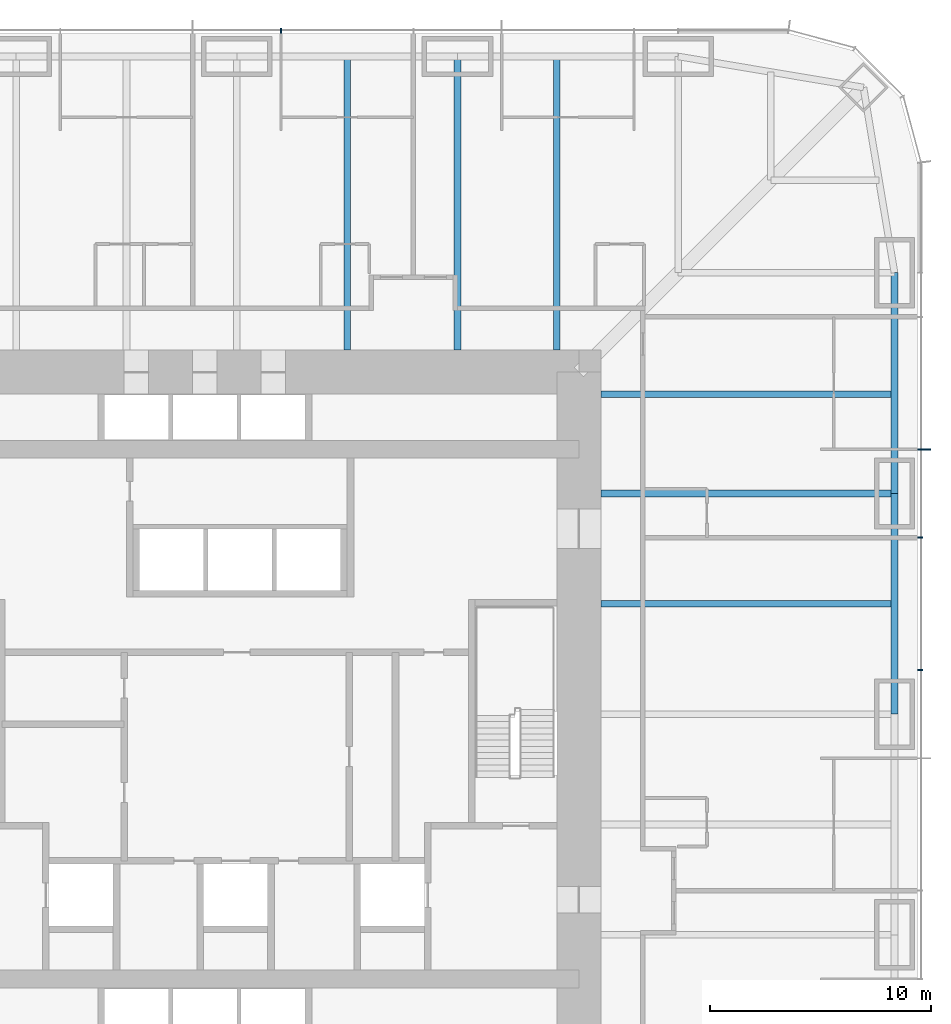
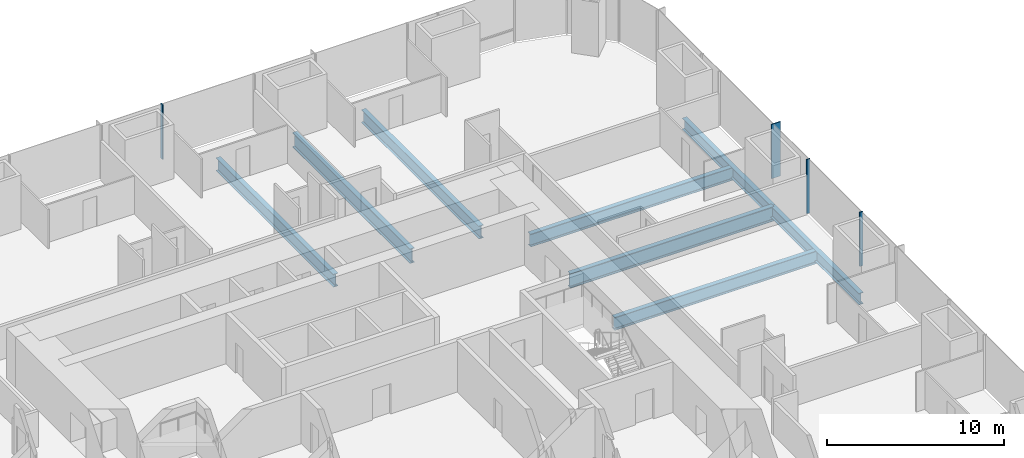
# One storey, part 8 of 17: 8 beams, 4 members, 2 elements without a shape of their own.
"""IFC4 building model written with IfcOpenShell, lengths in metres."""

import ifcopenshell
import ifcopenshell.guid

model = None  # the IFC model being written
_history = None  # IfcOwnerHistory: only IFC2X3 demands one
_inside = {}  # id of a spatial element -> (the spatial element, [elements in it])
_under = {}  # id of a project, library or spatial element -> (it, [spatial elements below it])
_declared = {}  # id of a project -> (the project, [libraries it declares])
_typed = {}  # id of a type object -> (the type object, [elements of that type])
_made_of = {}  # id of a material, layer set ... -> (it, [elements and type objects made of it])


def new_model(schema):
    """Start an empty IFC model of exactly this schema.

    Asked for "IFC4X3", IfcOpenShell would pick the latest addendum, in which some entities
    have other attributes; the version numbers below select the first issue.
    IFC2X3 requires an IfcOwnerHistory on every rooted entity: one is made here for all.
    """
    global model, _history
    if schema == "IFC4X3":
        model = ifcopenshell.file(schema_version=(4, 3, 0, 0))
    else:
        model = ifcopenshell.file(schema=schema)
    _inside.clear()
    _under.clear()
    _declared.clear()
    _typed.clear()
    _made_of.clear()
    _history = None
    if model.schema == "IFC2X3":
        org = make("IfcOrganization", Name="unknown")
        user = make(
            "IfcPersonAndOrganization",
            ThePerson=make("IfcPerson", FamilyName="unknown"),
            TheOrganization=org,
        )
        app = make(
            "IfcApplication",
            ApplicationDeveloper=org,
            Version="unknown",
            ApplicationFullName="unknown",
            ApplicationIdentifier="unknown",
        )
        _history = make(
            "IfcOwnerHistory",
            OwningUser=user,
            OwningApplication=app,
            ChangeAction="ADDED",
            CreationDate=0,
        )
    return model


def make(cls, **values):
    """One entity of the class cls with the attributes given. An attribute that is None is left unset."""
    return model.create_entity(
        cls, **{name: value for name, value in values.items() if value is not None}
    )


def rooted(cls, **values):
    """An entity with a GlobalId (a new one), such as an element, a storey or a relation."""
    return make(cls, GlobalId=ifcopenshell.guid.new(), OwnerHistory=_history, **values)


def si_unit(unit_type, name, prefix=None):
    """IfcSIUnit, for example si_unit("LENGTHUNIT", "METRE", prefix="MILLI")."""
    return make("IfcSIUnit", UnitType=unit_type, Prefix=prefix, Name=name)


def assignment(units):
    """IfcUnitAssignment: the units of a project."""
    return None if units is None else make("IfcUnitAssignment", Units=units)


def point(xyz):
    """IfcCartesianPoint."""
    return None if xyz is None else make("IfcCartesianPoint", Coordinates=xyz)


def direction(xyz):
    """IfcDirection."""
    return None if xyz is None else make("IfcDirection", DirectionRatios=xyz)


def frame(location, z_axis=None, x_axis=None):
    """IfcAxis2Placement3D, a coordinate frame: its origin and axes. An axis left out is left unset."""
    return make(
        "IfcAxis2Placement3D",
        Location=point(location),
        Axis=direction(z_axis),
        RefDirection=direction(x_axis),
    )


def frame_2d(location, x_axis=None):
    """IfcAxis2Placement2D, a coordinate frame in the plane: its origin and x axis."""
    return make(
        "IfcAxis2Placement2D", Location=point(location), RefDirection=direction(x_axis)
    )


def origin():
    """The frame at (0, 0, 0) with its axes left unset."""
    return frame((0.0, 0.0, 0.0))


def origin_2d():
    """The frame at (0, 0) in the plane with its x axis left unset."""
    return frame_2d((0.0, 0.0))


def place(relative_to, where):
    """IfcLocalPlacement: puts the frame where relative to a parent placement (None: the world)."""
    return make(
        "IfcLocalPlacement", PlacementRelTo=relative_to, RelativePlacement=where
    )


def context(
    kind, dimensions, precision=None, world=None, true_north=None, identifier=None
):
    """IfcGeometricRepresentationContext, for example the 3D "Model" context."""
    return make(
        "IfcGeometricRepresentationContext",
        ContextIdentifier=identifier,
        ContextType=kind,
        CoordinateSpaceDimension=dimensions,
        Precision=precision,
        WorldCoordinateSystem=world,
        TrueNorth=true_north,
    )


def subcontext(parent, identifier, kind, view, scale=None):
    """IfcGeometricRepresentationSubContext, for example "Body" below "Model"."""
    return make(
        "IfcGeometricRepresentationSubContext",
        ContextIdentifier=identifier,
        ContextType=kind,
        ParentContext=parent,
        TargetScale=scale,
        TargetView=view,
    )


def project(units=None, contexts=None):
    """IfcProject with its units and contexts."""
    return rooted(
        "IfcProject",
        Name="project",
        RepresentationContexts=contexts,
        UnitsInContext=assignment(units),
    )


def spatial(cls, under=None, at=None, **own):
    """A site, building, storey or space (cls), placed at a placement, below another one or the project."""
    s = rooted(cls, ObjectPlacement=at, **own)
    if under is not None:
        _under.setdefault(under.id(), (under, []))[1].append(s)
    return s


def profile(cls, at=None, kind="AREA", **sizes):
    """A parametric profile (cls). Its sizes go by their IFC names, for example OverallWidth=200.0."""
    return make(cls, ProfileType=kind, Position=at, **sizes)


def rectangle(**sizes):
    """IfcRectangleProfileDef."""
    return profile("IfcRectangleProfileDef", **sizes)


def i_section(**sizes):
    """IfcIShapeProfileDef."""
    return profile("IfcIShapeProfileDef", **sizes)


def extrude(swept, where, along, depth):
    """IfcExtrudedAreaSolid: the profile swept, set in the frame where, extruded along a direction by depth."""
    return make(
        "IfcExtrudedAreaSolid",
        SweptArea=swept,
        Position=where,
        ExtrudedDirection=direction(along),
        Depth=depth,
    )


def shape(context_of_items, identifier, shape_type, items):
    """IfcShapeRepresentation: the items that make up one representation, for example the "Body"."""
    return make(
        "IfcShapeRepresentation",
        ContextOfItems=context_of_items,
        RepresentationIdentifier=identifier,
        RepresentationType=shape_type,
        Items=items,
    )


def material(Name=None, Category=None):
    """IfcMaterial."""
    return make("IfcMaterial", Name=Name, Category=Category)


def material_profile(
    of_material, cross_section, Name=None, Category=None, Priority=None
):
    """IfcMaterialProfile: a cross section and its material."""
    return make(
        "IfcMaterialProfile",
        Name=Name,
        Material=of_material,
        Profile=cross_section,
        Priority=Priority,
        Category=Category,
    )


def profile_set(profiles, Name=None, composite=None):
    """IfcMaterialProfileSet."""
    return make(
        "IfcMaterialProfileSet",
        Name=Name,
        MaterialProfiles=profiles,
        CompositeProfile=composite,
    )


def made_of(thing, what):
    """Note that an element or type object is made of a material, layer set ...; save() writes the relation."""
    if what is not None:
        _made_of.setdefault(what.id(), (what, []))[1].append(thing)
    return thing


def type_object(cls, material=None, **own):
    """A type object (cls), such as IfcWallType, which elements share."""
    return made_of(rooted(cls, **own), material)


def element(
    cls,
    number,
    at=None,
    inside=None,
    cuts=None,
    type_object=None,
    material=None,
    context=None,
    identifier="Body",
    shape_type=None,
    held_by="IfcProductDefinitionShape",
    body=None,
    shapes=None,
    **own,
):
    """One element of the class cls, such as IfcWall. Its Tag is "e" and its number.

    at: its placement. inside: the storey or other place that contains it. cuts: it is an
    opening in that element (IfcRelVoidsElement). A single representation is given by context,
    identifier, shape_type and body (its items); several are given by shapes. held_by: the class
    of the entity that holds the representations. save() writes the other relations.
    """
    e = rooted(cls, Tag="e%d" % number, ObjectPlacement=at, **own)
    if body is not None:
        shapes = [shape(context, identifier, shape_type, body)]
    if shapes is not None:
        e.Representation = make(held_by, Representations=shapes)
    if inside is not None:
        _inside.setdefault(inside.id(), (inside, []))[1].append(e)
    if cuts is not None:
        rooted(
            "IfcRelVoidsElement", RelatingBuildingElement=cuts, RelatedOpeningElement=e
        )
    if type_object is not None:
        _typed.setdefault(type_object.id(), (type_object, []))[1].append(e)
    return made_of(e, material)


def aggregate(whole, parts):
    """IfcRelAggregates: a whole, such as a stair, and the parts it consists of."""
    return rooted("IfcRelAggregates", RelatingObject=whole, RelatedObjects=parts)


def save(model, path):
    """Write the relations noted so far, then the file.

    IfcRelAggregates (storeys below a building ...), IfcRelContainedInSpatialStructure (elements
    in a storey), IfcRelDefinesByType, IfcRelAssociatesMaterial and IfcRelDeclares: one each for
    every whole, place, type object, material and project.
    """
    for whole, parts in _under.values():
        aggregate(whole, parts)
    for where, things in _inside.values():
        rooted(
            "IfcRelContainedInSpatialStructure",
            RelatedElements=things,
            RelatingStructure=where,
        )
    for kind, things in _typed.values():
        rooted("IfcRelDefinesByType", RelatedObjects=things, RelatingType=kind)
    for what, things in _made_of.values():
        rooted("IfcRelAssociatesMaterial", RelatedObjects=things, RelatingMaterial=what)
    for by, libraries in _declared.values():
        rooted("IfcRelDeclares", RelatingContext=by, RelatedDefinitions=libraries)
    model.write(path)


model = new_model("IFC4")

# Units and contexts
model_context = context("Model", 3, precision=1e-05, world=origin(), true_north=direction((0.0, 1.0)))
body_context = subcontext(model_context, "Body", "Model", "MODEL_VIEW")
ifc_project = project(units=[si_unit("LENGTHUNIT", "METRE"), si_unit("AREAUNIT", "SQUARE_METRE"), si_unit("VOLUMEUNIT", "CUBIC_METRE"), si_unit("PLANEANGLEUNIT", "RADIAN"), si_unit("MASSUNIT", "GRAM", prefix="KILO")], contexts=[model_context])

# Site, building, storey
site_placement = place(None, origin())
site = spatial("IfcSite", under=ifc_project, at=site_placement, CompositionType="ELEMENT")
building_placement = place(site_placement, origin())
building = spatial("IfcBuilding", under=site, at=building_placement, Name="Khuree Lantern Residences", CompositionType="ELEMENT")
storey_placement = place(building_placement, frame((0.0, 0.0, 88.5)))
storey = spatial("IfcBuildingStorey", under=building, at=storey_placement, Name="L22", CompositionType="ELEMENT", Elevation=88.5)

# Beams
ifc_material_1 = material(Name="Steel S355", Category="steel")
ifc_material_profile_1 = material_profile(ifc_material_1, i_section(OverallWidth=0.300048828125, OverallDepth=0.889892578125, WebThickness=0.01611328125, FlangeThickness=0.030029296875, FilletRadius=0.030029296875, at=origin_2d()), Name="HE 900 A")
ifc_profile_set_1 = profile_set([ifc_material_profile_1], Name="Steel S355")
beam_type_1 = type_object("IfcBeamType", Name="B-15 SECONDARY BEAM HE 900 A", PredefinedType="BEAM", material=ifc_profile_set_1)
for number, where, z_axis, x_axis, name in (
    (1, (5.0, 29.800048828125, -0.695068359375), (0.0, -1.0, 0.0), (1.0, 0.0, 0.0), "Secondary beam N3"),
    (2, (14.5, 29.800048828125, -0.695068359375), (0.0, -1.0, 0.0), (1.0, 0.0, 0.0), "Secondary beam N4"),
    (3, (29.800048828125, 14.5, -0.695068359375), (-1.0, 0.0, 0.0), (0.0, -1.0, 0.0), "Secondary beam E2"),
    (4, (29.800048828125, 5.0, -0.695068359375), (-1.0, 0.0, 0.0), (0.0, -1.0, 0.0), "Secondary beam E3"),
):
    element("IfcBeam", number, at=place(storey_placement, frame(where, z_axis=z_axis, x_axis=x_axis)), inside=storey, type_object=beam_type_1, Name=name, PredefinedType="BEAM", context=body_context, shape_type="SweptSolid", body=[
        extrude(i_section(OverallWidth=0.300048828125, OverallDepth=0.889892578125, WebThickness=0.01611328125, FlangeThickness=0.030029296875, FilletRadius=0.030029296875, at=origin_2d()), origin(), (0.0, 0.0, 1.0), 13.300048828125),
    ])
ifc_material_profile_2 = material_profile(ifc_material_1, i_section(OverallWidth=0.300048828125, OverallDepth=0.7900390625, WebThickness=0.014892578125, FlangeThickness=0.028076171875, FilletRadius=0.030029296875, at=origin_2d()), Name="HE 800 A")
ifc_profile_set_2 = profile_set([ifc_material_profile_2], Name="Steel S355")
beam_type_2 = type_object("IfcBeamType", Name="E-15 SPANDREL BEAM HE 800 A", PredefinedType="SPANDREL", material=ifc_profile_set_2)
for number, where, z_axis, x_axis, name in (
    (5, (29.800048828125, 20.0, -0.64501953125), (0.0, -1.0, 0.0), (1.0, 0.0, 0.0), "Spandrel beam E2"),
    (6, (29.800048828125, 10.0, -0.64501953125), (0.0, -1.0, 0.0), (1.0, 0.0, 0.0), "Spandrel beam E3"),
):
    element("IfcBeam", number, at=place(storey_placement, frame(where, z_axis=z_axis, x_axis=x_axis)), inside=storey, type_object=beam_type_2, Name=name, PredefinedType="SPANDREL", context=body_context, shape_type="SweptSolid", body=[
        extrude(i_section(OverallWidth=0.300048828125, OverallDepth=0.7900390625, WebThickness=0.014892578125, FlangeThickness=0.028076171875, FilletRadius=0.030029296875, at=origin_2d()), origin(), (0.0, 0.0, 1.0), 10.0),
    ])

# Curtain wall, member
ifc_material_2 = material(Name="Bronze anodised aluminium", Category="aluminium")
curtain_wall_type = type_object("IfcCurtainWallType", Name="CW-T1 TOWER FACE CURTAIN WALL", PredefinedType="USERDEFINED", material=ifc_material_2)
curtain_wall_1_placement = place(storey_placement, origin())
curtain_wall_1 = element("IfcCurtainWall", 7, at=curtain_wall_1_placement, inside=storey, type_object=curtain_wall_type, Name="L22 EAST FACE CURTAIN WALL", ObjectType="Stick-built curtain wall", PredefinedType="USERDEFINED")
ifc_material_profile_3 = material_profile(ifc_material_2, rectangle(XDim=0.06494140625, YDim=0.60009765625, at=origin_2d()), Name="F1 65X600")
ifc_profile_set_3 = profile_set([ifc_material_profile_3], Name="Bronze anodised aluminium")
member_type_1 = type_object("IfcMemberType", Name="F1 BRONZE FIN MULLION TOWER 65X600", PredefinedType="MULLION", material=ifc_profile_set_3)
member_1_placement = place(storey_placement, frame((31.14990234375, 12.0, 0.0), z_axis=(0.0, 0.0, 1.0), x_axis=(0.0, 1.0, 0.0)))
member_1 = element("IfcMember", 8, at=member_1_placement, type_object=member_type_1, Name="L22 EAST FACE FIN MULLION 12", PredefinedType="MULLION", context=body_context, shape_type="SweptSolid", body=[
    extrude(rectangle(XDim=0.06494140625, YDim=0.60009765625, at=origin_2d()), origin(), (0.0, 0.0, 1.0), 3.75),
])

# Beams
ifc_material_profile_4 = material_profile(ifc_material_1, i_section(OverallWidth=0.302001953125, OverallDepth=1.008056640625, WebThickness=0.02099609375, FlangeThickness=0.0400390625, FilletRadius=0.030029296875, at=origin_2d()), Name="HE 1000 M")
ifc_profile_set_4 = profile_set([ifc_material_profile_4], Name="Steel S355")
beam_type_3 = type_object("IfcBeamType", Name="G-15 GIRDER HE 1000 M", PredefinedType="BEAM", material=ifc_profile_set_4)
for number, where, z_axis, x_axis, name in (
    (9, (10.0, 29.800048828125, -0.75390625), (0.0, -1.0, 0.0), (1.0, 0.0, 0.0), "Girder N4"),
    (10, (29.800048828125, 10.0, -0.75390625), (-1.0, 0.0, 0.0), (0.0, -1.0, 0.0), "Girder E2"),
):
    element("IfcBeam", number, at=place(storey_placement, frame(where, z_axis=z_axis, x_axis=x_axis)), inside=storey, type_object=beam_type_3, Name=name, PredefinedType="BEAM", context=body_context, shape_type="SweptSolid", body=[
        extrude(i_section(OverallWidth=0.302001953125, OverallDepth=1.008056640625, WebThickness=0.02099609375, FlangeThickness=0.0400390625, FilletRadius=0.030029296875, at=origin_2d()), origin(), (0.0, 0.0, 1.0), 13.300048828125),
    ])

# Member
ifc_material_profile_5 = material_profile(ifc_material_2, rectangle(XDim=0.06494140625, YDim=0.219970703125, at=origin_2d()), Name="M1 65X220")
ifc_profile_set_5 = profile_set([ifc_material_profile_5], Name="Bronze anodised aluminium")
member_type_2 = type_object("IfcMemberType", Name="M1 BRONZE MULLION TOWER 65X220", PredefinedType="MULLION", material=ifc_profile_set_5)
member_2_placement = place(storey_placement, frame((30.9599609375, 2.0, 0.0), z_axis=(0.0, 0.0, 1.0), x_axis=(0.0, 1.0, 0.0)))
member_2 = element("IfcMember", 11, at=member_2_placement, type_object=member_type_2, Name="L22 EAST FACE MULLION 10", PredefinedType="MULLION", context=body_context, shape_type="SweptSolid", body=[
    extrude(rectangle(XDim=0.06494140625, YDim=0.219970703125, at=origin_2d()), origin(), (0.0, 0.0, 1.0), 3.75),
])

member_3_placement = place(storey_placement, frame((30.9599609375, 8.0, 0.0), z_axis=(0.0, 0.0, 1.0), x_axis=(0.0, 1.0, 0.0)))
member_3 = element("IfcMember", 12, at=member_3_placement, type_object=member_type_2, Name="L22 EAST FACE MULLION 11", PredefinedType="MULLION", context=body_context, shape_type="SweptSolid", body=[
    extrude(rectangle(XDim=0.06494140625, YDim=0.219970703125, at=origin_2d()), origin(), (0.0, 0.0, 1.0), 3.75),
])

aggregate(curtain_wall_1, [member_2, member_3, member_1])

# Curtain wall, member
curtain_wall_2_placement = place(storey_placement, origin())
curtain_wall_2 = element("IfcCurtainWall", 13, at=curtain_wall_2_placement, inside=storey, type_object=curtain_wall_type, Name="L22 NORTH FACE CURTAIN WALL", ObjectType="Stick-built curtain wall", PredefinedType="USERDEFINED")
member_4_placement = place(storey_placement, frame((2.0, 30.9599609375, 0.0), z_axis=(0.0, 0.0, 1.0), x_axis=(-1.0, 0.0, 0.0)))
member_4 = element("IfcMember", 14, at=member_4_placement, type_object=member_type_2, Name="L22 NORTH FACE MULLION 23", PredefinedType="MULLION", context=body_context, shape_type="SweptSolid", body=[
    extrude(rectangle(XDim=0.06494140625, YDim=0.219970703125, at=origin_2d()), origin(), (0.0, 0.0, 1.0), 3.75),
])
aggregate(curtain_wall_2, [member_4])

save(model, "model.ifc")
